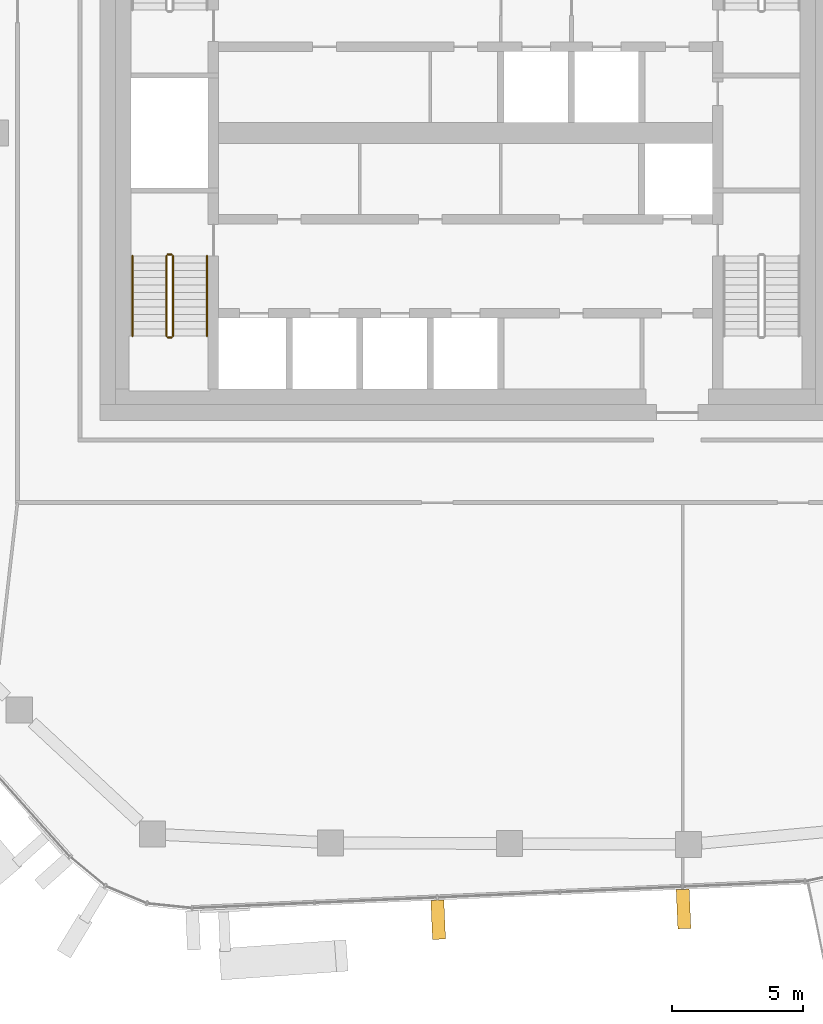
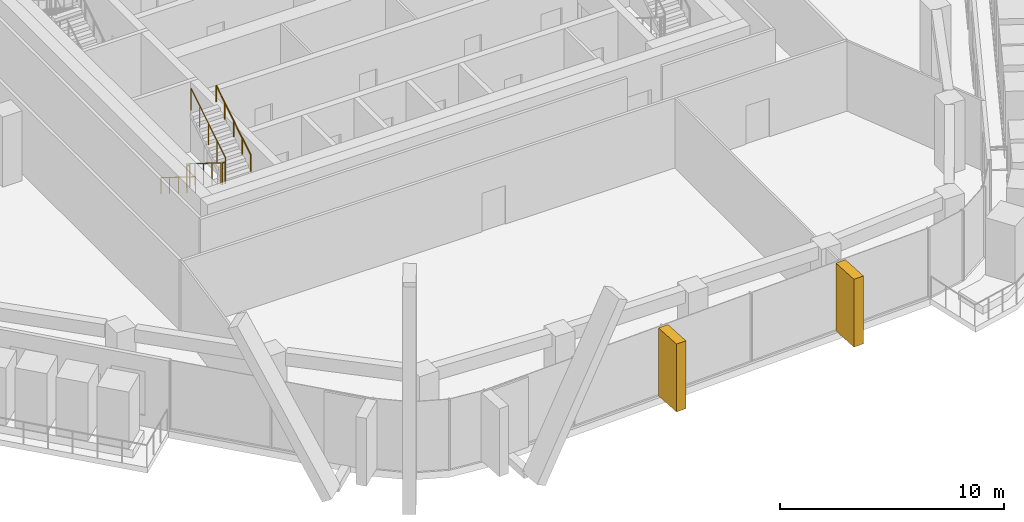
# One storey, part 18 of 23: 6 railings, 2 coverings, 1 element without a shape of its own.
"""IFC4 building model written with IfcOpenShell, lengths in metres."""

from ifc_helpers import new_model, si_unit, direction, frame, origin, origin_2d, place, context, subcontext, project, spatial, rectangle, circle, extrude, material, layer, layer_set, material_profile, profile_set, type_object, element, aggregate, save


model = new_model("IFC4")

# Units and contexts
model_context = context("Model", 3, precision=1e-05, world=origin(), true_north=direction((0.0, 1.0)))
body_context = subcontext(model_context, "Body", "Model", "MODEL_VIEW")
ifc_project = project(units=[si_unit("LENGTHUNIT", "METRE"), si_unit("AREAUNIT", "SQUARE_METRE"), si_unit("VOLUMEUNIT", "CUBIC_METRE"), si_unit("PLANEANGLEUNIT", "RADIAN"), si_unit("MASSUNIT", "GRAM", prefix="KILO")], contexts=[model_context])

# Site, building, storey
site_placement = place(None, origin())
site = spatial("IfcSite", under=ifc_project, at=site_placement, CompositionType="ELEMENT")
building_placement = place(site_placement, origin())
building = spatial("IfcBuilding", under=site, at=building_placement, Name="Dongbaek Canopy Tower", CompositionType="ELEMENT")
storey_placement = place(building_placement, frame((0.0, 0.0, 319.39990234375)))
storey = spatial("IfcBuildingStorey", under=building, at=storey_placement, Name="L68", CompositionType="ELEMENT", Elevation=319.39990234375)

# Curtain wall, coverings
ifc_material_1 = material(Name="Aluminium 6063-T6 pale anodised", Category="aluminium")
ifc_layer = layer(ifc_material_1, 0.199951171875)
ifc_layer_set = layer_set([ifc_layer], Name="CW-1 unitised tower curtain wall")
curtain_wall_type = type_object("IfcCurtainWallType", Name="CW-1 unitised tower curtain wall", PredefinedType="NOTDEFINED", material=ifc_layer_set)
curtain_wall_placement = place(storey_placement, origin())
curtain_wall = element("IfcCurtainWall", 1, at=curtain_wall_placement, inside=storey, type_object=curtain_wall_type, Name="CW-1 curtain wall F4.1", PredefinedType="NOTDEFINED")
ifc_material_2 = material(Name="Aluminium 6063-T6 pale metal fin", Category="aluminium")
ifc_material_profile = material_profile(ifc_material_2, rectangle(XDim=1.5, YDim=0.5, at=origin_2d()), Name="Fin FN1 500 x 1500 pale metal")
ifc_profile_set = profile_set([ifc_material_profile], Name="Aluminium 6063-T6 pale metal fin")
covering_type = type_object("IfcCoveringType", Name="Fin FN1 500 x 1500 pale metal", PredefinedType="CLADDING", material=ifc_profile_set)
covering_1_placement = place(storey_placement, frame((-1.048828125, -30.108154296875, 0.1201171875), z_axis=(0.0, 0.0, 1.0), x_axis=(0.04357165489, -0.999050304484, 0.0)))
covering_1 = element("IfcCovering", 2, at=covering_1_placement, type_object=covering_type, Name="Fin F4.1.3", PredefinedType="CLADDING", context=body_context, shape_type="SweptSolid", body=[
    extrude(rectangle(XDim=1.5, YDim=0.5, at=origin_2d()), origin(), (0.0, 0.0, 1.0), 3.699951171875),
])
covering_2_placement = place(storey_placement, frame((8.34033203125, -29.69873046875, 0.1201171875), z_axis=(0.0, 0.0, 1.0), x_axis=(0.04357165489, -0.999050304484, 0.0)))
covering_2 = element("IfcCovering", 3, at=covering_2_placement, type_object=covering_type, Name="Fin F4.1.5", PredefinedType="CLADDING", context=body_context, shape_type="SweptSolid", body=[
    extrude(rectangle(XDim=1.5, YDim=0.5, at=origin_2d()), origin(), (0.0, 0.0, 1.0), 3.699951171875),
])
aggregate(curtain_wall, [covering_1, covering_2])

# Railings
ifc_material_3 = material(Name="Stainless steel tube and balusters", Category="steel")
railing_type_1 = type_object("IfcRailingType", Name="Stair guard 1200", PredefinedType="GUARDRAIL", material=ifc_material_3)
railing_1_placement = place(storey_placement, frame((-11.449951171875, -4.699951171875, 0.175048828125)))
element("IfcRailing", 4, at=railing_1_placement, inside=storey, type_object=railing_type_1, Name="L68 ST-D stair guard 1", PredefinedType="GUARDRAIL", context=body_context, shape_type="SweptSolid", body=[
    extrude(circle(Radius=0.02392578125, at=origin_2d()), frame((0.0, 0.0, 1.17578125), z_axis=(0.0, -0.847998304005, 0.529998940003), x_axis=(1.0, 0.0, 0.0)), (0.0, 0.0, 1.0), 3.632080078125),
    extrude(circle(Radius=0.02099609375, at=origin_2d()), origin(), (0.0, 0.0, 1.0), 1.15185546875),
    extrude(circle(Radius=0.02099609375, at=origin_2d()), frame((0.0, -0.77001953125, 0.481201171875)), (0.0, 0.0, 1.0), 1.15185546875),
    extrude(circle(Radius=0.02099609375, at=origin_2d()), frame((0.0, -1.5400390625, 0.96240234375)), (0.0, 0.0, 1.0), 1.15185546875),
    extrude(circle(Radius=0.02099609375, at=origin_2d()), frame((0.0, -2.31005859375, 1.44384765625)), (0.0, 0.0, 1.0), 1.15185546875),
    extrude(circle(Radius=0.02099609375, at=origin_2d()), frame((0.0, -3.080078125, 1.925048828125)), (0.0, 0.0, 1.0), 1.15185546875),
])
railing_2_placement = place(storey_placement, frame((-11.39990234375, -7.830078125, 2.10009765625)))
element("IfcRailing", 5, at=railing_2_placement, inside=storey, type_object=railing_type_1, Name="L68 ST-D stair guard 2", PredefinedType="GUARDRAIL", context=body_context, shape_type="SweptSolid", body=[
    extrude(circle(Radius=0.02392578125, at=origin_2d()), frame((0.0, 0.0, 1.17578125), z_axis=(1.0, 0.0, 0.0), x_axis=(0.0, 1.0, 0.0)), (0.0, 0.0, 1.0), 0.14990234375),
    extrude(circle(Radius=0.02099609375, at=origin_2d()), origin(), (0.0, 0.0, 1.0), 1.15185546875),
    extrude(circle(Radius=0.02099609375, at=origin_2d()), frame((0.14990234375, 0.0, 0.0)), (0.0, 0.0, 1.0), 1.15185546875),
])
railing_3_placement = place(storey_placement, frame((-11.199951171875, -7.780029296875, 2.275146484375)))
element("IfcRailing", 6, at=railing_3_placement, inside=storey, type_object=railing_type_1, Name="L68 ST-D stair guard 3", PredefinedType="GUARDRAIL", context=body_context, shape_type="SweptSolid", body=[
    extrude(circle(Radius=0.02392578125, at=origin_2d()), frame((0.0, 0.0, 1.17578125), z_axis=(0.0, 0.847998304005, 0.529998940003), x_axis=(-1.0, 0.0, 0.0)), (0.0, 0.0, 1.0), 3.632080078125),
    extrude(circle(Radius=0.02099609375, at=origin_2d()), origin(), (0.0, 0.0, 1.0), 1.15185546875),
    extrude(circle(Radius=0.02099609375, at=origin_2d()), frame((0.0, 0.77001953125, 0.481201171875)), (0.0, 0.0, 1.0), 1.15185546875),
    extrude(circle(Radius=0.02099609375, at=origin_2d()), frame((0.0, 1.5400390625, 0.96240234375)), (0.0, 0.0, 1.0), 1.15185546875),
    extrude(circle(Radius=0.02099609375, at=origin_2d()), frame((0.0, 2.31005859375, 1.44384765625)), (0.0, 0.0, 1.0), 1.15185546875),
    extrude(circle(Radius=0.02099609375, at=origin_2d()), frame((0.0, 3.080078125, 1.925048828125)), (0.0, 0.0, 1.0), 1.15185546875),
])
railing_4_placement = place(storey_placement, frame((-11.39990234375, -4.64990234375, 0.0)))
element("IfcRailing", 7, at=railing_4_placement, inside=storey, type_object=railing_type_1, Name="L68 ST-D stair guard 4", PredefinedType="GUARDRAIL", context=body_context, shape_type="SweptSolid", body=[
    extrude(circle(Radius=0.02392578125, at=origin_2d()), frame((0.0, 0.0, 1.17578125), z_axis=(1.0, 0.0, 0.0), x_axis=(0.0, 1.0, 0.0)), (0.0, 0.0, 1.0), 0.14990234375),
    extrude(circle(Radius=0.02099609375, at=origin_2d()), origin(), (0.0, 0.0, 1.0), 1.15185546875),
    extrude(circle(Radius=0.02099609375, at=origin_2d()), frame((0.14990234375, 0.0, 0.0)), (0.0, 0.0, 1.0), 1.15185546875),
])
ifc_material_4 = material(Name="Stainless steel tube", Category="steel")
railing_type_2 = type_object("IfcRailingType", Name="Stair handrail 900", PredefinedType="HANDRAIL", material=ifc_material_4)
railing_5_placement = place(storey_placement, frame((-12.75, -4.699951171875, 0.175048828125)))
element("IfcRailing", 8, at=railing_5_placement, inside=storey, type_object=railing_type_2, Name="L68 ST-D stair handrail 1", PredefinedType="HANDRAIL", context=body_context, shape_type="SweptSolid", body=[
    extrude(circle(Radius=0.02392578125, at=origin_2d()), frame((0.0, 0.0, 0.8759765625), z_axis=(0.0, -0.847998304005, 0.529998940003), x_axis=(1.0, 0.0, 0.0)), (0.0, 0.0, 1.0), 3.632080078125),
    extrude(circle(Radius=0.02099609375, at=origin_2d()), origin(), (0.0, 0.0, 1.0), 0.851806640625),
    extrude(circle(Radius=0.02099609375, at=origin_2d()), frame((0.0, -0.77001953125, 0.481201171875)), (0.0, 0.0, 1.0), 0.851806640625),
    extrude(circle(Radius=0.02099609375, at=origin_2d()), frame((0.0, -1.5400390625, 0.96240234375)), (0.0, 0.0, 1.0), 0.851806640625),
    extrude(circle(Radius=0.02099609375, at=origin_2d()), frame((0.0, -2.31005859375, 1.44384765625)), (0.0, 0.0, 1.0), 0.851806640625),
    extrude(circle(Radius=0.02099609375, at=origin_2d()), frame((0.0, -3.080078125, 1.925048828125)), (0.0, 0.0, 1.0), 0.851806640625),
])
railing_6_placement = place(storey_placement, frame((-9.89990234375, -7.780029296875, 2.275146484375)))
element("IfcRailing", 9, at=railing_6_placement, inside=storey, type_object=railing_type_2, Name="L68 ST-D stair handrail 2", PredefinedType="HANDRAIL", context=body_context, shape_type="SweptSolid", body=[
    extrude(circle(Radius=0.02392578125, at=origin_2d()), frame((0.0, 0.0, 0.8759765625), z_axis=(0.0, 0.847998304005, 0.529998940003), x_axis=(-1.0, 0.0, 0.0)), (0.0, 0.0, 1.0), 3.632080078125),
    extrude(circle(Radius=0.02099609375, at=origin_2d()), origin(), (0.0, 0.0, 1.0), 0.851806640625),
    extrude(circle(Radius=0.02099609375, at=origin_2d()), frame((0.0, 0.77001953125, 0.481201171875)), (0.0, 0.0, 1.0), 0.851806640625),
    extrude(circle(Radius=0.02099609375, at=origin_2d()), frame((0.0, 1.5400390625, 0.96240234375)), (0.0, 0.0, 1.0), 0.851806640625),
    extrude(circle(Radius=0.02099609375, at=origin_2d()), frame((0.0, 2.31005859375, 1.44384765625)), (0.0, 0.0, 1.0), 0.851806640625),
    extrude(circle(Radius=0.02099609375, at=origin_2d()), frame((0.0, 3.080078125, 1.925048828125)), (0.0, 0.0, 1.0), 0.851806640625),
])

save(model, "model.ifc")
